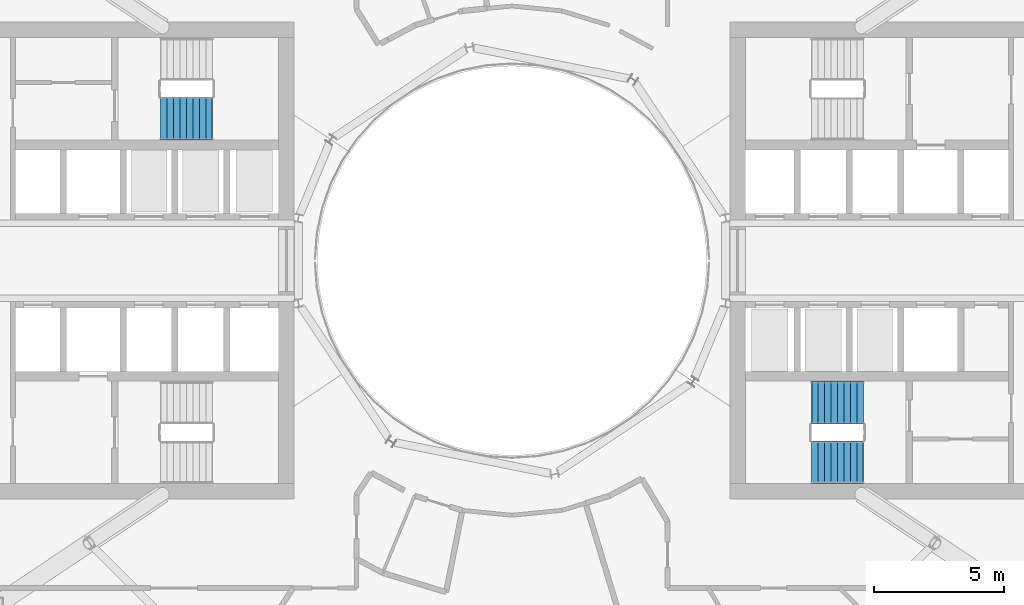
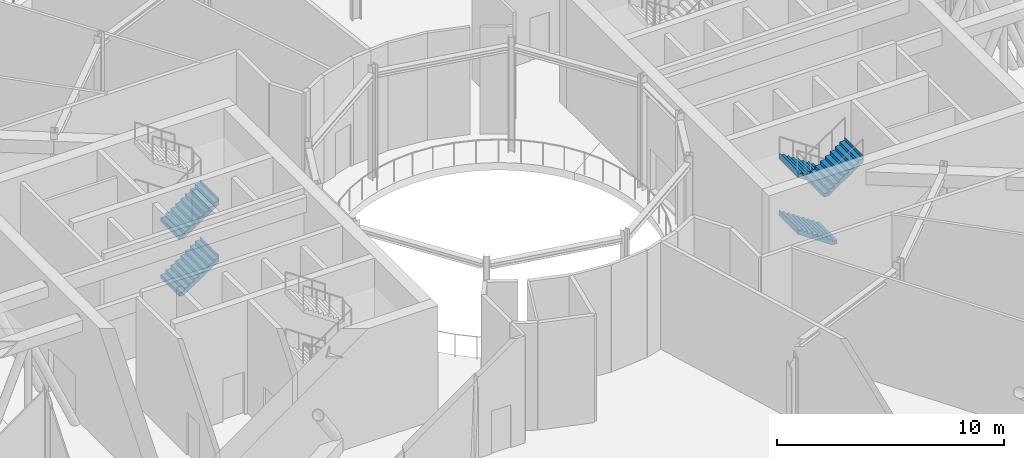
# One storey, part 17 of 25: 5 stair flights, 2 elements without a shape of their own.
"""IFC4 building model written with IfcOpenShell, lengths in metres."""

from ifc_helpers import new_model, si_unit, direction, frame, origin, place, context, subcontext, project, spatial, triangles, material, type_object, element, aggregate, save


model = new_model("IFC4")

# Units and contexts
model_context = context("Model", 3, precision=1e-05, world=origin(), true_north=direction((0.0, 1.0)))
body_context = subcontext(model_context, "Body", "Model", "MODEL_VIEW")
ifc_project = project(units=[si_unit("LENGTHUNIT", "METRE"), si_unit("AREAUNIT", "SQUARE_METRE"), si_unit("VOLUMEUNIT", "CUBIC_METRE"), si_unit("PLANEANGLEUNIT", "RADIAN"), si_unit("MASSUNIT", "GRAM", prefix="KILO")], contexts=[model_context])

# Site, building, storey
site_placement = place(None, origin())
site = spatial("IfcSite", under=ifc_project, at=site_placement, CompositionType="ELEMENT")
building_placement = place(site_placement, origin())
building = spatial("IfcBuilding", under=site, at=building_placement, Name="Maasbend Ring Residences", CompositionType="ELEMENT")
storey_placement = place(building_placement, frame((0.0, 0.0, 139.10009765625)))
storey = spatial("IfcBuildingStorey", under=building, at=storey_placement, Name="L40", CompositionType="ELEMENT", Elevation=139.10009765625)

# Stair, stair flights
ifc_material_1 = material(Name="Concrete C40/50", Category="concrete")
stair_type = type_object("IfcStairType", Name="CORE STAIR 36 RISERS", PredefinedType="HALF_TURN_STAIR", material=ifc_material_1)
stair_1_placement = place(storey_placement, origin())
stair_1 = element("IfcStair", 1, at=stair_1_placement, inside=storey, type_object=stair_type, Name="L40 Exit stair ST-E2", PredefinedType="HALF_TURN_STAIR")
ifc_material_2 = material(Name="Concrete C40/50", Category="concrete")
stair_flight_type = type_object("IfcStairFlightType", Name="CORE STAIR FLIGHT 1650", PredefinedType="STRAIGHT", material=ifc_material_2)
stair_flight_1_placement = place(storey_placement, frame((13.550048828125, -5.47509765625, 0.0), z_axis=(0.0, 0.0, 1.0), x_axis=(-1.0, 0.0, 0.0)))
stair_flight_1 = element("IfcStairFlight", 2, at=stair_flight_1_placement, type_object=stair_flight_type, Name="ST-E2 flight 1", NumberOfRisers=9, NumberOfTreads=8, PredefinedType="STRAIGHT", RiserHeight=0.169444444, TreadLength=0.25, context=body_context, shape_type="Tessellation", body=[
    triangles([(0.24072265625, 0.824951171875, -0.02001953125), (2.0029296875, 0.824951171875, 1.174560546875), (2.0029296875, 0.824951171875, 1.52490234375), (1.989990234375, 0.824951171875, 1.35546875), (1.75, 0.824951171875, 1.35546875), (1.75, 0.824951171875, 1.18603515625), (1.5, 0.824951171875, 1.18603515625), (1.5, 0.824951171875, 1.0166015625), (1.25, 0.824951171875, 1.0166015625), (1.25, 0.824951171875, 0.84716796875), (1.0, 0.824951171875, 0.84716796875), (1.0, 0.824951171875, 0.677734375), (0.75, 0.824951171875, 0.677734375), (0.75, 0.824951171875, 0.50830078125), (0.5, 0.824951171875, 0.50830078125), (0.5, 0.824951171875, 0.3388671875), (0.25, 0.824951171875, 0.3388671875), (0.25, 0.824951171875, 0.16943359375), (0.0, 0.824951171875, 0.16943359375), (0.0, 0.824951171875, 0.0), (-0.0029296875, 0.824951171875, 0.0), (-0.0029296875, 0.824951171875, -0.02001953125), (0.24072265625, 0.27490234375, -0.02001953125), (2.0029296875, 0.27490234375, 1.174560546875), (2.0029296875, 0.27490234375, 1.52490234375), (1.989990234375, 0.27490234375, 1.35546875), (1.75, 0.27490234375, 1.35546875), (1.75, 0.27490234375, 1.18603515625), (1.5, 0.27490234375, 1.18603515625), (1.5, 0.27490234375, 1.0166015625), (1.25, 0.27490234375, 1.0166015625), (1.25, 0.27490234375, 0.84716796875), (1.0, 0.27490234375, 0.84716796875), (1.0, 0.27490234375, 0.677734375), (0.75, 0.27490234375, 0.677734375), (0.75, 0.27490234375, 0.50830078125), (0.5, 0.27490234375, 0.50830078125), (0.5, 0.27490234375, 0.3388671875), (0.25, 0.27490234375, 0.3388671875), (0.25, 0.27490234375, 0.16943359375), (0.0, 0.27490234375, 0.16943359375), (0.0, 0.27490234375, 0.0), (-0.0029296875, 0.27490234375, 0.0), (-0.0029296875, 0.27490234375, -0.02001953125), (0.24072265625, -0.27490234375, -0.02001953125), (2.0029296875, -0.27490234375, 1.174560546875), (2.0029296875, -0.27490234375, 1.52490234375), (1.989990234375, -0.27490234375, 1.35546875), (1.75, -0.27490234375, 1.35546875), (1.75, -0.27490234375, 1.18603515625), (1.5, -0.27490234375, 1.18603515625), (1.5, -0.27490234375, 1.0166015625), (1.25, -0.27490234375, 1.0166015625), (1.25, -0.27490234375, 0.84716796875), (1.0, -0.27490234375, 0.84716796875), (1.0, -0.27490234375, 0.677734375), (0.75, -0.27490234375, 0.677734375), (0.75, -0.27490234375, 0.50830078125), (0.5, -0.27490234375, 0.50830078125), (0.5, -0.27490234375, 0.3388671875), (0.25, -0.27490234375, 0.3388671875), (0.25, -0.27490234375, 0.16943359375), (0.0, -0.27490234375, 0.16943359375), (0.0, -0.27490234375, 0.0), (-0.0029296875, -0.27490234375, 0.0), (-0.0029296875, -0.27490234375, -0.02001953125), (0.24072265625, -0.824951171875, -0.02001953125), (2.0029296875, -0.824951171875, 1.174560546875), (2.0029296875, -0.824951171875, 1.52490234375), (1.989990234375, -0.824951171875, 1.35546875), (1.75, -0.824951171875, 1.35546875), (1.75, -0.824951171875, 1.18603515625), (1.5, -0.824951171875, 1.18603515625), (1.5, -0.824951171875, 1.0166015625), (1.25, -0.824951171875, 1.0166015625), (1.25, -0.824951171875, 0.84716796875), (1.0, -0.824951171875, 0.84716796875), (1.0, -0.824951171875, 0.677734375), (0.75, -0.824951171875, 0.677734375), (0.75, -0.824951171875, 0.50830078125), (0.5, -0.824951171875, 0.50830078125), (0.5, -0.824951171875, 0.3388671875), (0.25, -0.824951171875, 0.3388671875), (0.25, -0.824951171875, 0.16943359375), (0.0, -0.824951171875, 0.16943359375), (0.0, -0.824951171875, 0.0), (-0.0029296875, -0.824951171875, 0.0), (-0.0029296875, -0.824951171875, -0.02001953125)], [[1, 2, 24], [1, 24, 23], [23, 24, 46], [23, 46, 45], [45, 46, 68], [45, 68, 67], [2, 3, 25], [2, 25, 24], [24, 25, 47], [24, 47, 46], [46, 47, 69], [46, 69, 68], [3, 4, 26], [3, 26, 25], [25, 26, 48], [25, 48, 47], [47, 48, 70], [47, 70, 69], [4, 5, 27], [4, 27, 26], [26, 27, 49], [26, 49, 48], [48, 49, 71], [48, 71, 70], [5, 6, 28], [5, 28, 27], [27, 28, 50], [27, 50, 49], [49, 50, 72], [49, 72, 71], [6, 7, 29], [6, 29, 28], [28, 29, 51], [28, 51, 50], [50, 51, 73], [50, 73, 72], [7, 8, 30], [7, 30, 29], [29, 30, 52], [29, 52, 51], [51, 52, 74], [51, 74, 73], [8, 9, 31], [8, 31, 30], [30, 31, 53], [30, 53, 52], [52, 53, 75], [52, 75, 74], [9, 10, 32], [9, 32, 31], [31, 32, 54], [31, 54, 53], [53, 54, 76], [53, 76, 75], [10, 11, 33], [10, 33, 32], [32, 33, 55], [32, 55, 54], [54, 55, 77], [54, 77, 76], [11, 12, 34], [11, 34, 33], [33, 34, 56], [33, 56, 55], [55, 56, 78], [55, 78, 77], [12, 13, 35], [12, 35, 34], [34, 35, 57], [34, 57, 56], [56, 57, 79], [56, 79, 78], [13, 14, 36], [13, 36, 35], [35, 36, 58], [35, 58, 57], [57, 58, 80], [57, 80, 79], [14, 15, 37], [14, 37, 36], [36, 37, 59], [36, 59, 58], [58, 59, 81], [58, 81, 80], [15, 16, 38], [15, 38, 37], [37, 38, 60], [37, 60, 59], [59, 60, 82], [59, 82, 81], [16, 17, 39], [16, 39, 38], [38, 39, 61], [38, 61, 60], [60, 61, 83], [60, 83, 82], [17, 18, 40], [17, 40, 39], [39, 40, 62], [39, 62, 61], [61, 62, 84], [61, 84, 83], [18, 19, 41], [18, 41, 40], [40, 41, 63], [40, 63, 62], [62, 63, 85], [62, 85, 84], [19, 20, 42], [19, 42, 41], [41, 42, 64], [41, 64, 63], [63, 64, 86], [63, 86, 85], [20, 21, 43], [20, 43, 42], [42, 43, 65], [42, 65, 64], [64, 65, 87], [64, 87, 86], [21, 22, 44], [21, 44, 43], [43, 44, 66], [43, 66, 65], [65, 66, 88], [65, 88, 87], [22, 1, 23], [22, 23, 44], [44, 23, 45], [44, 45, 66], [66, 45, 67], [66, 67, 88], [22, 2, 1], [2, 4, 3], [2, 5, 4], [2, 6, 5], [22, 6, 2], [6, 8, 7], [22, 8, 6], [8, 10, 9], [22, 10, 8], [10, 12, 11], [22, 12, 10], [12, 14, 13], [22, 14, 12], [14, 16, 15], [22, 16, 14], [16, 18, 17], [22, 18, 16], [18, 20, 19], [22, 20, 18], [20, 22, 21], [88, 67, 68], [68, 69, 70], [68, 70, 71], [68, 71, 72], [88, 68, 72], [72, 73, 74], [88, 72, 74], [74, 75, 76], [88, 74, 76], [76, 77, 78], [88, 76, 78], [78, 79, 80], [88, 78, 80], [80, 81, 82], [88, 80, 82], [82, 83, 84], [88, 82, 84], [84, 85, 86], [88, 84, 86], [86, 87, 88]], closed=True),
])
stair_flight_2_placement = place(storey_placement, frame((13.550048828125, -5.47509765625, 3.0498046875), z_axis=(0.0, 0.0, 1.0), x_axis=(-1.0, 0.0, 0.0)))
stair_flight_2 = element("IfcStairFlight", 3, at=stair_flight_2_placement, type_object=stair_flight_type, Name="ST-E2 flight 3", NumberOfRisers=9, NumberOfTreads=8, PredefinedType="STRAIGHT", RiserHeight=0.169444444, TreadLength=0.25, context=body_context, shape_type="Tessellation", body=[
    triangles([(0.24072265625, 0.824951171875, -0.02001953125), (2.0029296875, 0.824951171875, 1.174560546875), (2.0029296875, 0.824951171875, 1.52490234375), (1.989990234375, 0.824951171875, 1.35546875), (1.75, 0.824951171875, 1.35546875), (1.75, 0.824951171875, 1.18603515625), (1.5, 0.824951171875, 1.18603515625), (1.5, 0.824951171875, 1.0166015625), (1.25, 0.824951171875, 1.0166015625), (1.25, 0.824951171875, 0.84716796875), (1.0, 0.824951171875, 0.84716796875), (1.0, 0.824951171875, 0.677734375), (0.75, 0.824951171875, 0.677734375), (0.75, 0.824951171875, 0.50830078125), (0.5, 0.824951171875, 0.50830078125), (0.5, 0.824951171875, 0.3388671875), (0.25, 0.824951171875, 0.3388671875), (0.25, 0.824951171875, 0.16943359375), (0.0, 0.824951171875, 0.16943359375), (0.0, 0.824951171875, 0.0), (-0.0029296875, 0.824951171875, 0.0), (-0.0029296875, 0.824951171875, -0.02001953125), (0.24072265625, 0.27490234375, -0.02001953125), (2.0029296875, 0.27490234375, 1.174560546875), (2.0029296875, 0.27490234375, 1.52490234375), (1.989990234375, 0.27490234375, 1.35546875), (1.75, 0.27490234375, 1.35546875), (1.75, 0.27490234375, 1.18603515625), (1.5, 0.27490234375, 1.18603515625), (1.5, 0.27490234375, 1.0166015625), (1.25, 0.27490234375, 1.0166015625), (1.25, 0.27490234375, 0.84716796875), (1.0, 0.27490234375, 0.84716796875), (1.0, 0.27490234375, 0.677734375), (0.75, 0.27490234375, 0.677734375), (0.75, 0.27490234375, 0.50830078125), (0.5, 0.27490234375, 0.50830078125), (0.5, 0.27490234375, 0.3388671875), (0.25, 0.27490234375, 0.3388671875), (0.25, 0.27490234375, 0.16943359375), (0.0, 0.27490234375, 0.16943359375), (0.0, 0.27490234375, 0.0), (-0.0029296875, 0.27490234375, 0.0), (-0.0029296875, 0.27490234375, -0.02001953125), (0.24072265625, -0.27490234375, -0.02001953125), (2.0029296875, -0.27490234375, 1.174560546875), (2.0029296875, -0.27490234375, 1.52490234375), (1.989990234375, -0.27490234375, 1.35546875), (1.75, -0.27490234375, 1.35546875), (1.75, -0.27490234375, 1.18603515625), (1.5, -0.27490234375, 1.18603515625), (1.5, -0.27490234375, 1.0166015625), (1.25, -0.27490234375, 1.0166015625), (1.25, -0.27490234375, 0.84716796875), (1.0, -0.27490234375, 0.84716796875), (1.0, -0.27490234375, 0.677734375), (0.75, -0.27490234375, 0.677734375), (0.75, -0.27490234375, 0.50830078125), (0.5, -0.27490234375, 0.50830078125), (0.5, -0.27490234375, 0.3388671875), (0.25, -0.27490234375, 0.3388671875), (0.25, -0.27490234375, 0.16943359375), (0.0, -0.27490234375, 0.16943359375), (0.0, -0.27490234375, 0.0), (-0.0029296875, -0.27490234375, 0.0), (-0.0029296875, -0.27490234375, -0.02001953125), (0.24072265625, -0.824951171875, -0.02001953125), (2.0029296875, -0.824951171875, 1.174560546875), (2.0029296875, -0.824951171875, 1.52490234375), (1.989990234375, -0.824951171875, 1.35546875), (1.75, -0.824951171875, 1.35546875), (1.75, -0.824951171875, 1.18603515625), (1.5, -0.824951171875, 1.18603515625), (1.5, -0.824951171875, 1.0166015625), (1.25, -0.824951171875, 1.0166015625), (1.25, -0.824951171875, 0.84716796875), (1.0, -0.824951171875, 0.84716796875), (1.0, -0.824951171875, 0.677734375), (0.75, -0.824951171875, 0.677734375), (0.75, -0.824951171875, 0.50830078125), (0.5, -0.824951171875, 0.50830078125), (0.5, -0.824951171875, 0.3388671875), (0.25, -0.824951171875, 0.3388671875), (0.25, -0.824951171875, 0.16943359375), (0.0, -0.824951171875, 0.16943359375), (0.0, -0.824951171875, 0.0), (-0.0029296875, -0.824951171875, 0.0), (-0.0029296875, -0.824951171875, -0.02001953125)], [[1, 2, 24], [1, 24, 23], [23, 24, 46], [23, 46, 45], [45, 46, 68], [45, 68, 67], [2, 3, 25], [2, 25, 24], [24, 25, 47], [24, 47, 46], [46, 47, 69], [46, 69, 68], [3, 4, 26], [3, 26, 25], [25, 26, 48], [25, 48, 47], [47, 48, 70], [47, 70, 69], [4, 5, 27], [4, 27, 26], [26, 27, 49], [26, 49, 48], [48, 49, 71], [48, 71, 70], [5, 6, 28], [5, 28, 27], [27, 28, 50], [27, 50, 49], [49, 50, 72], [49, 72, 71], [6, 7, 29], [6, 29, 28], [28, 29, 51], [28, 51, 50], [50, 51, 73], [50, 73, 72], [7, 8, 30], [7, 30, 29], [29, 30, 52], [29, 52, 51], [51, 52, 74], [51, 74, 73], [8, 9, 31], [8, 31, 30], [30, 31, 53], [30, 53, 52], [52, 53, 75], [52, 75, 74], [9, 10, 32], [9, 32, 31], [31, 32, 54], [31, 54, 53], [53, 54, 76], [53, 76, 75], [10, 11, 33], [10, 33, 32], [32, 33, 55], [32, 55, 54], [54, 55, 77], [54, 77, 76], [11, 12, 34], [11, 34, 33], [33, 34, 56], [33, 56, 55], [55, 56, 78], [55, 78, 77], [12, 13, 35], [12, 35, 34], [34, 35, 57], [34, 57, 56], [56, 57, 79], [56, 79, 78], [13, 14, 36], [13, 36, 35], [35, 36, 58], [35, 58, 57], [57, 58, 80], [57, 80, 79], [14, 15, 37], [14, 37, 36], [36, 37, 59], [36, 59, 58], [58, 59, 81], [58, 81, 80], [15, 16, 38], [15, 38, 37], [37, 38, 60], [37, 60, 59], [59, 60, 82], [59, 82, 81], [16, 17, 39], [16, 39, 38], [38, 39, 61], [38, 61, 60], [60, 61, 83], [60, 83, 82], [17, 18, 40], [17, 40, 39], [39, 40, 62], [39, 62, 61], [61, 62, 84], [61, 84, 83], [18, 19, 41], [18, 41, 40], [40, 41, 63], [40, 63, 62], [62, 63, 85], [62, 85, 84], [19, 20, 42], [19, 42, 41], [41, 42, 64], [41, 64, 63], [63, 64, 86], [63, 86, 85], [20, 21, 43], [20, 43, 42], [42, 43, 65], [42, 65, 64], [64, 65, 87], [64, 87, 86], [21, 22, 44], [21, 44, 43], [43, 44, 66], [43, 66, 65], [65, 66, 88], [65, 88, 87], [22, 1, 23], [22, 23, 44], [44, 23, 45], [44, 45, 66], [66, 45, 67], [66, 67, 88], [22, 2, 1], [2, 4, 3], [2, 5, 4], [2, 6, 5], [22, 6, 2], [6, 8, 7], [22, 8, 6], [8, 10, 9], [22, 10, 8], [10, 12, 11], [22, 12, 10], [12, 14, 13], [22, 14, 12], [14, 16, 15], [22, 16, 14], [16, 18, 17], [22, 18, 16], [18, 20, 19], [22, 20, 18], [20, 22, 21], [88, 67, 68], [68, 69, 70], [68, 70, 71], [68, 71, 72], [88, 68, 72], [72, 73, 74], [88, 72, 74], [74, 75, 76], [88, 74, 76], [76, 77, 78], [88, 76, 78], [78, 79, 80], [88, 78, 80], [80, 81, 82], [88, 80, 82], [82, 83, 84], [88, 82, 84], [84, 85, 86], [88, 84, 86], [86, 87, 88]], closed=True),
])
stair_flight_3_placement = place(storey_placement, frame((11.550048828125, -7.77490234375, 4.574951171875), z_axis=(0.0, 0.0, 1.0), x_axis=(1.0, 0.0, 0.0)))
stair_flight_3 = element("IfcStairFlight", 4, at=stair_flight_3_placement, type_object=stair_flight_type, Name="ST-E2 flight 4", NumberOfRisers=9, NumberOfTreads=8, PredefinedType="STRAIGHT", RiserHeight=0.169444444, TreadLength=0.25, context=body_context, shape_type="Tessellation", body=[
    triangles([(0.24072265625, 0.824951171875, -0.02001953125), (2.0029296875, 0.824951171875, 1.174560546875), (2.0029296875, 0.824951171875, 1.52490234375), (1.989990234375, 0.824951171875, 1.35546875), (1.75, 0.824951171875, 1.35546875), (1.75, 0.824951171875, 1.18603515625), (1.5, 0.824951171875, 1.18603515625), (1.5, 0.824951171875, 1.0166015625), (1.25, 0.824951171875, 1.0166015625), (1.25, 0.824951171875, 0.84716796875), (1.0, 0.824951171875, 0.84716796875), (1.0, 0.824951171875, 0.677734375), (0.75, 0.824951171875, 0.677734375), (0.75, 0.824951171875, 0.50830078125), (0.5, 0.824951171875, 0.50830078125), (0.5, 0.824951171875, 0.3388671875), (0.25, 0.824951171875, 0.3388671875), (0.25, 0.824951171875, 0.16943359375), (0.0, 0.824951171875, 0.16943359375), (0.0, 0.824951171875, 0.0), (-0.0029296875, 0.824951171875, 0.0), (-0.0029296875, 0.824951171875, -0.02001953125), (0.24072265625, 0.27490234375, -0.02001953125), (2.0029296875, 0.27490234375, 1.174560546875), (2.0029296875, 0.27490234375, 1.52490234375), (1.989990234375, 0.27490234375, 1.35546875), (1.75, 0.27490234375, 1.35546875), (1.75, 0.27490234375, 1.18603515625), (1.5, 0.27490234375, 1.18603515625), (1.5, 0.27490234375, 1.0166015625), (1.25, 0.27490234375, 1.0166015625), (1.25, 0.27490234375, 0.84716796875), (1.0, 0.27490234375, 0.84716796875), (1.0, 0.27490234375, 0.677734375), (0.75, 0.27490234375, 0.677734375), (0.75, 0.27490234375, 0.50830078125), (0.5, 0.27490234375, 0.50830078125), (0.5, 0.27490234375, 0.3388671875), (0.25, 0.27490234375, 0.3388671875), (0.25, 0.27490234375, 0.16943359375), (0.0, 0.27490234375, 0.16943359375), (0.0, 0.27490234375, 0.0), (-0.0029296875, 0.27490234375, 0.0), (-0.0029296875, 0.27490234375, -0.02001953125), (0.24072265625, -0.27490234375, -0.02001953125), (2.0029296875, -0.27490234375, 1.174560546875), (2.0029296875, -0.27490234375, 1.52490234375), (1.989990234375, -0.27490234375, 1.35546875), (1.75, -0.27490234375, 1.35546875), (1.75, -0.27490234375, 1.18603515625), (1.5, -0.27490234375, 1.18603515625), (1.5, -0.27490234375, 1.0166015625), (1.25, -0.27490234375, 1.0166015625), (1.25, -0.27490234375, 0.84716796875), (1.0, -0.27490234375, 0.84716796875), (1.0, -0.27490234375, 0.677734375), (0.75, -0.27490234375, 0.677734375), (0.75, -0.27490234375, 0.50830078125), (0.5, -0.27490234375, 0.50830078125), (0.5, -0.27490234375, 0.3388671875), (0.25, -0.27490234375, 0.3388671875), (0.25, -0.27490234375, 0.16943359375), (0.0, -0.27490234375, 0.16943359375), (0.0, -0.27490234375, 0.0), (-0.0029296875, -0.27490234375, 0.0), (-0.0029296875, -0.27490234375, -0.02001953125), (0.24072265625, -0.824951171875, -0.02001953125), (2.0029296875, -0.824951171875, 1.174560546875), (2.0029296875, -0.824951171875, 1.52490234375), (1.989990234375, -0.824951171875, 1.35546875), (1.75, -0.824951171875, 1.35546875), (1.75, -0.824951171875, 1.18603515625), (1.5, -0.824951171875, 1.18603515625), (1.5, -0.824951171875, 1.0166015625), (1.25, -0.824951171875, 1.0166015625), (1.25, -0.824951171875, 0.84716796875), (1.0, -0.824951171875, 0.84716796875), (1.0, -0.824951171875, 0.677734375), (0.75, -0.824951171875, 0.677734375), (0.75, -0.824951171875, 0.50830078125), (0.5, -0.824951171875, 0.50830078125), (0.5, -0.824951171875, 0.3388671875), (0.25, -0.824951171875, 0.3388671875), (0.25, -0.824951171875, 0.16943359375), (0.0, -0.824951171875, 0.16943359375), (0.0, -0.824951171875, 0.0), (-0.0029296875, -0.824951171875, 0.0), (-0.0029296875, -0.824951171875, -0.02001953125)], [[1, 2, 24], [1, 24, 23], [23, 24, 46], [23, 46, 45], [45, 46, 68], [45, 68, 67], [2, 3, 25], [2, 25, 24], [24, 25, 47], [24, 47, 46], [46, 47, 69], [46, 69, 68], [3, 4, 26], [3, 26, 25], [25, 26, 48], [25, 48, 47], [47, 48, 70], [47, 70, 69], [4, 5, 27], [4, 27, 26], [26, 27, 49], [26, 49, 48], [48, 49, 71], [48, 71, 70], [5, 6, 28], [5, 28, 27], [27, 28, 50], [27, 50, 49], [49, 50, 72], [49, 72, 71], [6, 7, 29], [6, 29, 28], [28, 29, 51], [28, 51, 50], [50, 51, 73], [50, 73, 72], [7, 8, 30], [7, 30, 29], [29, 30, 52], [29, 52, 51], [51, 52, 74], [51, 74, 73], [8, 9, 31], [8, 31, 30], [30, 31, 53], [30, 53, 52], [52, 53, 75], [52, 75, 74], [9, 10, 32], [9, 32, 31], [31, 32, 54], [31, 54, 53], [53, 54, 76], [53, 76, 75], [10, 11, 33], [10, 33, 32], [32, 33, 55], [32, 55, 54], [54, 55, 77], [54, 77, 76], [11, 12, 34], [11, 34, 33], [33, 34, 56], [33, 56, 55], [55, 56, 78], [55, 78, 77], [12, 13, 35], [12, 35, 34], [34, 35, 57], [34, 57, 56], [56, 57, 79], [56, 79, 78], [13, 14, 36], [13, 36, 35], [35, 36, 58], [35, 58, 57], [57, 58, 80], [57, 80, 79], [14, 15, 37], [14, 37, 36], [36, 37, 59], [36, 59, 58], [58, 59, 81], [58, 81, 80], [15, 16, 38], [15, 38, 37], [37, 38, 60], [37, 60, 59], [59, 60, 82], [59, 82, 81], [16, 17, 39], [16, 39, 38], [38, 39, 61], [38, 61, 60], [60, 61, 83], [60, 83, 82], [17, 18, 40], [17, 40, 39], [39, 40, 62], [39, 62, 61], [61, 62, 84], [61, 84, 83], [18, 19, 41], [18, 41, 40], [40, 41, 63], [40, 63, 62], [62, 63, 85], [62, 85, 84], [19, 20, 42], [19, 42, 41], [41, 42, 64], [41, 64, 63], [63, 64, 86], [63, 86, 85], [20, 21, 43], [20, 43, 42], [42, 43, 65], [42, 65, 64], [64, 65, 87], [64, 87, 86], [21, 22, 44], [21, 44, 43], [43, 44, 66], [43, 66, 65], [65, 66, 88], [65, 88, 87], [22, 1, 23], [22, 23, 44], [44, 23, 45], [44, 45, 66], [66, 45, 67], [66, 67, 88], [22, 2, 1], [2, 4, 3], [2, 5, 4], [2, 6, 5], [22, 6, 2], [6, 8, 7], [22, 8, 6], [8, 10, 9], [22, 10, 8], [10, 12, 11], [22, 12, 10], [12, 14, 13], [22, 14, 12], [14, 16, 15], [22, 16, 14], [16, 18, 17], [22, 18, 16], [18, 20, 19], [22, 20, 18], [20, 22, 21], [88, 67, 68], [68, 69, 70], [68, 70, 71], [68, 71, 72], [88, 68, 72], [72, 73, 74], [88, 72, 74], [74, 75, 76], [88, 74, 76], [76, 77, 78], [88, 76, 78], [78, 79, 80], [88, 78, 80], [80, 81, 82], [88, 80, 82], [82, 83, 84], [88, 82, 84], [84, 85, 86], [88, 84, 86], [86, 87, 88]], closed=True),
])
aggregate(stair_1, [stair_flight_1, stair_flight_2, stair_flight_3])

stair_2_placement = place(storey_placement, origin())
stair_2 = element("IfcStair", 5, at=stair_2_placement, inside=storey, type_object=stair_type, Name="L40 Exit stair ST-W2", PredefinedType="HALF_TURN_STAIR")
stair_flight_4_placement = place(storey_placement, frame((-13.550048828125, 5.47509765625, 0.0), z_axis=(0.0, 0.0, 1.0), x_axis=(1.0, 0.0, 0.0)))
stair_flight_4 = element("IfcStairFlight", 6, at=stair_flight_4_placement, type_object=stair_flight_type, Name="ST-W2 flight 1", NumberOfRisers=9, NumberOfTreads=8, PredefinedType="STRAIGHT", RiserHeight=0.169444444, TreadLength=0.25, context=body_context, shape_type="Tessellation", body=[
    triangles([(0.24072265625, 0.824951171875, -0.02001953125), (2.0029296875, 0.824951171875, 1.174560546875), (2.0029296875, 0.824951171875, 1.52490234375), (1.989990234375, 0.824951171875, 1.35546875), (1.75, 0.824951171875, 1.35546875), (1.75, 0.824951171875, 1.18603515625), (1.5, 0.824951171875, 1.18603515625), (1.5, 0.824951171875, 1.0166015625), (1.25, 0.824951171875, 1.0166015625), (1.25, 0.824951171875, 0.84716796875), (1.0, 0.824951171875, 0.84716796875), (1.0, 0.824951171875, 0.677734375), (0.75, 0.824951171875, 0.677734375), (0.75, 0.824951171875, 0.50830078125), (0.5, 0.824951171875, 0.50830078125), (0.5, 0.824951171875, 0.3388671875), (0.25, 0.824951171875, 0.3388671875), (0.25, 0.824951171875, 0.16943359375), (0.0, 0.824951171875, 0.16943359375), (0.0, 0.824951171875, 0.0), (-0.0029296875, 0.824951171875, 0.0), (-0.0029296875, 0.824951171875, -0.02001953125), (0.24072265625, 0.27490234375, -0.02001953125), (2.0029296875, 0.27490234375, 1.174560546875), (2.0029296875, 0.27490234375, 1.52490234375), (1.989990234375, 0.27490234375, 1.35546875), (1.75, 0.27490234375, 1.35546875), (1.75, 0.27490234375, 1.18603515625), (1.5, 0.27490234375, 1.18603515625), (1.5, 0.27490234375, 1.0166015625), (1.25, 0.27490234375, 1.0166015625), (1.25, 0.27490234375, 0.84716796875), (1.0, 0.27490234375, 0.84716796875), (1.0, 0.27490234375, 0.677734375), (0.75, 0.27490234375, 0.677734375), (0.75, 0.27490234375, 0.50830078125), (0.5, 0.27490234375, 0.50830078125), (0.5, 0.27490234375, 0.3388671875), (0.25, 0.27490234375, 0.3388671875), (0.25, 0.27490234375, 0.16943359375), (0.0, 0.27490234375, 0.16943359375), (0.0, 0.27490234375, 0.0), (-0.0029296875, 0.27490234375, 0.0), (-0.0029296875, 0.27490234375, -0.02001953125), (0.24072265625, -0.27490234375, -0.02001953125), (2.0029296875, -0.27490234375, 1.174560546875), (2.0029296875, -0.27490234375, 1.52490234375), (1.989990234375, -0.27490234375, 1.35546875), (1.75, -0.27490234375, 1.35546875), (1.75, -0.27490234375, 1.18603515625), (1.5, -0.27490234375, 1.18603515625), (1.5, -0.27490234375, 1.0166015625), (1.25, -0.27490234375, 1.0166015625), (1.25, -0.27490234375, 0.84716796875), (1.0, -0.27490234375, 0.84716796875), (1.0, -0.27490234375, 0.677734375), (0.75, -0.27490234375, 0.677734375), (0.75, -0.27490234375, 0.50830078125), (0.5, -0.27490234375, 0.50830078125), (0.5, -0.27490234375, 0.3388671875), (0.25, -0.27490234375, 0.3388671875), (0.25, -0.27490234375, 0.16943359375), (0.0, -0.27490234375, 0.16943359375), (0.0, -0.27490234375, 0.0), (-0.0029296875, -0.27490234375, 0.0), (-0.0029296875, -0.27490234375, -0.02001953125), (0.24072265625, -0.824951171875, -0.02001953125), (2.0029296875, -0.824951171875, 1.174560546875), (2.0029296875, -0.824951171875, 1.52490234375), (1.989990234375, -0.824951171875, 1.35546875), (1.75, -0.824951171875, 1.35546875), (1.75, -0.824951171875, 1.18603515625), (1.5, -0.824951171875, 1.18603515625), (1.5, -0.824951171875, 1.0166015625), (1.25, -0.824951171875, 1.0166015625), (1.25, -0.824951171875, 0.84716796875), (1.0, -0.824951171875, 0.84716796875), (1.0, -0.824951171875, 0.677734375), (0.75, -0.824951171875, 0.677734375), (0.75, -0.824951171875, 0.50830078125), (0.5, -0.824951171875, 0.50830078125), (0.5, -0.824951171875, 0.3388671875), (0.25, -0.824951171875, 0.3388671875), (0.25, -0.824951171875, 0.16943359375), (0.0, -0.824951171875, 0.16943359375), (0.0, -0.824951171875, 0.0), (-0.0029296875, -0.824951171875, 0.0), (-0.0029296875, -0.824951171875, -0.02001953125)], [[1, 2, 24], [1, 24, 23], [23, 24, 46], [23, 46, 45], [45, 46, 68], [45, 68, 67], [2, 3, 25], [2, 25, 24], [24, 25, 47], [24, 47, 46], [46, 47, 69], [46, 69, 68], [3, 4, 26], [3, 26, 25], [25, 26, 48], [25, 48, 47], [47, 48, 70], [47, 70, 69], [4, 5, 27], [4, 27, 26], [26, 27, 49], [26, 49, 48], [48, 49, 71], [48, 71, 70], [5, 6, 28], [5, 28, 27], [27, 28, 50], [27, 50, 49], [49, 50, 72], [49, 72, 71], [6, 7, 29], [6, 29, 28], [28, 29, 51], [28, 51, 50], [50, 51, 73], [50, 73, 72], [7, 8, 30], [7, 30, 29], [29, 30, 52], [29, 52, 51], [51, 52, 74], [51, 74, 73], [8, 9, 31], [8, 31, 30], [30, 31, 53], [30, 53, 52], [52, 53, 75], [52, 75, 74], [9, 10, 32], [9, 32, 31], [31, 32, 54], [31, 54, 53], [53, 54, 76], [53, 76, 75], [10, 11, 33], [10, 33, 32], [32, 33, 55], [32, 55, 54], [54, 55, 77], [54, 77, 76], [11, 12, 34], [11, 34, 33], [33, 34, 56], [33, 56, 55], [55, 56, 78], [55, 78, 77], [12, 13, 35], [12, 35, 34], [34, 35, 57], [34, 57, 56], [56, 57, 79], [56, 79, 78], [13, 14, 36], [13, 36, 35], [35, 36, 58], [35, 58, 57], [57, 58, 80], [57, 80, 79], [14, 15, 37], [14, 37, 36], [36, 37, 59], [36, 59, 58], [58, 59, 81], [58, 81, 80], [15, 16, 38], [15, 38, 37], [37, 38, 60], [37, 60, 59], [59, 60, 82], [59, 82, 81], [16, 17, 39], [16, 39, 38], [38, 39, 61], [38, 61, 60], [60, 61, 83], [60, 83, 82], [17, 18, 40], [17, 40, 39], [39, 40, 62], [39, 62, 61], [61, 62, 84], [61, 84, 83], [18, 19, 41], [18, 41, 40], [40, 41, 63], [40, 63, 62], [62, 63, 85], [62, 85, 84], [19, 20, 42], [19, 42, 41], [41, 42, 64], [41, 64, 63], [63, 64, 86], [63, 86, 85], [20, 21, 43], [20, 43, 42], [42, 43, 65], [42, 65, 64], [64, 65, 87], [64, 87, 86], [21, 22, 44], [21, 44, 43], [43, 44, 66], [43, 66, 65], [65, 66, 88], [65, 88, 87], [22, 1, 23], [22, 23, 44], [44, 23, 45], [44, 45, 66], [66, 45, 67], [66, 67, 88], [22, 2, 1], [2, 4, 3], [2, 5, 4], [2, 6, 5], [22, 6, 2], [6, 8, 7], [22, 8, 6], [8, 10, 9], [22, 10, 8], [10, 12, 11], [22, 12, 10], [12, 14, 13], [22, 14, 12], [14, 16, 15], [22, 16, 14], [16, 18, 17], [22, 18, 16], [18, 20, 19], [22, 20, 18], [20, 22, 21], [88, 67, 68], [68, 69, 70], [68, 70, 71], [68, 71, 72], [88, 68, 72], [72, 73, 74], [88, 72, 74], [74, 75, 76], [88, 74, 76], [76, 77, 78], [88, 76, 78], [78, 79, 80], [88, 78, 80], [80, 81, 82], [88, 80, 82], [82, 83, 84], [88, 82, 84], [84, 85, 86], [88, 84, 86], [86, 87, 88]], closed=True),
])
stair_flight_5_placement = place(storey_placement, frame((-13.550048828125, 5.47509765625, 3.0498046875), z_axis=(0.0, 0.0, 1.0), x_axis=(1.0, 0.0, 0.0)))
stair_flight_5 = element("IfcStairFlight", 7, at=stair_flight_5_placement, type_object=stair_flight_type, Name="ST-W2 flight 3", NumberOfRisers=9, NumberOfTreads=8, PredefinedType="STRAIGHT", RiserHeight=0.169444444, TreadLength=0.25, context=body_context, shape_type="Tessellation", body=[
    triangles([(0.24072265625, 0.824951171875, -0.02001953125), (2.0029296875, 0.824951171875, 1.174560546875), (2.0029296875, 0.824951171875, 1.52490234375), (1.989990234375, 0.824951171875, 1.35546875), (1.75, 0.824951171875, 1.35546875), (1.75, 0.824951171875, 1.18603515625), (1.5, 0.824951171875, 1.18603515625), (1.5, 0.824951171875, 1.0166015625), (1.25, 0.824951171875, 1.0166015625), (1.25, 0.824951171875, 0.84716796875), (1.0, 0.824951171875, 0.84716796875), (1.0, 0.824951171875, 0.677734375), (0.75, 0.824951171875, 0.677734375), (0.75, 0.824951171875, 0.50830078125), (0.5, 0.824951171875, 0.50830078125), (0.5, 0.824951171875, 0.3388671875), (0.25, 0.824951171875, 0.3388671875), (0.25, 0.824951171875, 0.16943359375), (0.0, 0.824951171875, 0.16943359375), (0.0, 0.824951171875, 0.0), (-0.0029296875, 0.824951171875, 0.0), (-0.0029296875, 0.824951171875, -0.02001953125), (0.24072265625, 0.27490234375, -0.02001953125), (2.0029296875, 0.27490234375, 1.174560546875), (2.0029296875, 0.27490234375, 1.52490234375), (1.989990234375, 0.27490234375, 1.35546875), (1.75, 0.27490234375, 1.35546875), (1.75, 0.27490234375, 1.18603515625), (1.5, 0.27490234375, 1.18603515625), (1.5, 0.27490234375, 1.0166015625), (1.25, 0.27490234375, 1.0166015625), (1.25, 0.27490234375, 0.84716796875), (1.0, 0.27490234375, 0.84716796875), (1.0, 0.27490234375, 0.677734375), (0.75, 0.27490234375, 0.677734375), (0.75, 0.27490234375, 0.50830078125), (0.5, 0.27490234375, 0.50830078125), (0.5, 0.27490234375, 0.3388671875), (0.25, 0.27490234375, 0.3388671875), (0.25, 0.27490234375, 0.16943359375), (0.0, 0.27490234375, 0.16943359375), (0.0, 0.27490234375, 0.0), (-0.0029296875, 0.27490234375, 0.0), (-0.0029296875, 0.27490234375, -0.02001953125), (0.24072265625, -0.27490234375, -0.02001953125), (2.0029296875, -0.27490234375, 1.174560546875), (2.0029296875, -0.27490234375, 1.52490234375), (1.989990234375, -0.27490234375, 1.35546875), (1.75, -0.27490234375, 1.35546875), (1.75, -0.27490234375, 1.18603515625), (1.5, -0.27490234375, 1.18603515625), (1.5, -0.27490234375, 1.0166015625), (1.25, -0.27490234375, 1.0166015625), (1.25, -0.27490234375, 0.84716796875), (1.0, -0.27490234375, 0.84716796875), (1.0, -0.27490234375, 0.677734375), (0.75, -0.27490234375, 0.677734375), (0.75, -0.27490234375, 0.50830078125), (0.5, -0.27490234375, 0.50830078125), (0.5, -0.27490234375, 0.3388671875), (0.25, -0.27490234375, 0.3388671875), (0.25, -0.27490234375, 0.16943359375), (0.0, -0.27490234375, 0.16943359375), (0.0, -0.27490234375, 0.0), (-0.0029296875, -0.27490234375, 0.0), (-0.0029296875, -0.27490234375, -0.02001953125), (0.24072265625, -0.824951171875, -0.02001953125), (2.0029296875, -0.824951171875, 1.174560546875), (2.0029296875, -0.824951171875, 1.52490234375), (1.989990234375, -0.824951171875, 1.35546875), (1.75, -0.824951171875, 1.35546875), (1.75, -0.824951171875, 1.18603515625), (1.5, -0.824951171875, 1.18603515625), (1.5, -0.824951171875, 1.0166015625), (1.25, -0.824951171875, 1.0166015625), (1.25, -0.824951171875, 0.84716796875), (1.0, -0.824951171875, 0.84716796875), (1.0, -0.824951171875, 0.677734375), (0.75, -0.824951171875, 0.677734375), (0.75, -0.824951171875, 0.50830078125), (0.5, -0.824951171875, 0.50830078125), (0.5, -0.824951171875, 0.3388671875), (0.25, -0.824951171875, 0.3388671875), (0.25, -0.824951171875, 0.16943359375), (0.0, -0.824951171875, 0.16943359375), (0.0, -0.824951171875, 0.0), (-0.0029296875, -0.824951171875, 0.0), (-0.0029296875, -0.824951171875, -0.02001953125)], [[1, 2, 24], [1, 24, 23], [23, 24, 46], [23, 46, 45], [45, 46, 68], [45, 68, 67], [2, 3, 25], [2, 25, 24], [24, 25, 47], [24, 47, 46], [46, 47, 69], [46, 69, 68], [3, 4, 26], [3, 26, 25], [25, 26, 48], [25, 48, 47], [47, 48, 70], [47, 70, 69], [4, 5, 27], [4, 27, 26], [26, 27, 49], [26, 49, 48], [48, 49, 71], [48, 71, 70], [5, 6, 28], [5, 28, 27], [27, 28, 50], [27, 50, 49], [49, 50, 72], [49, 72, 71], [6, 7, 29], [6, 29, 28], [28, 29, 51], [28, 51, 50], [50, 51, 73], [50, 73, 72], [7, 8, 30], [7, 30, 29], [29, 30, 52], [29, 52, 51], [51, 52, 74], [51, 74, 73], [8, 9, 31], [8, 31, 30], [30, 31, 53], [30, 53, 52], [52, 53, 75], [52, 75, 74], [9, 10, 32], [9, 32, 31], [31, 32, 54], [31, 54, 53], [53, 54, 76], [53, 76, 75], [10, 11, 33], [10, 33, 32], [32, 33, 55], [32, 55, 54], [54, 55, 77], [54, 77, 76], [11, 12, 34], [11, 34, 33], [33, 34, 56], [33, 56, 55], [55, 56, 78], [55, 78, 77], [12, 13, 35], [12, 35, 34], [34, 35, 57], [34, 57, 56], [56, 57, 79], [56, 79, 78], [13, 14, 36], [13, 36, 35], [35, 36, 58], [35, 58, 57], [57, 58, 80], [57, 80, 79], [14, 15, 37], [14, 37, 36], [36, 37, 59], [36, 59, 58], [58, 59, 81], [58, 81, 80], [15, 16, 38], [15, 38, 37], [37, 38, 60], [37, 60, 59], [59, 60, 82], [59, 82, 81], [16, 17, 39], [16, 39, 38], [38, 39, 61], [38, 61, 60], [60, 61, 83], [60, 83, 82], [17, 18, 40], [17, 40, 39], [39, 40, 62], [39, 62, 61], [61, 62, 84], [61, 84, 83], [18, 19, 41], [18, 41, 40], [40, 41, 63], [40, 63, 62], [62, 63, 85], [62, 85, 84], [19, 20, 42], [19, 42, 41], [41, 42, 64], [41, 64, 63], [63, 64, 86], [63, 86, 85], [20, 21, 43], [20, 43, 42], [42, 43, 65], [42, 65, 64], [64, 65, 87], [64, 87, 86], [21, 22, 44], [21, 44, 43], [43, 44, 66], [43, 66, 65], [65, 66, 88], [65, 88, 87], [22, 1, 23], [22, 23, 44], [44, 23, 45], [44, 45, 66], [66, 45, 67], [66, 67, 88], [22, 2, 1], [2, 4, 3], [2, 5, 4], [2, 6, 5], [22, 6, 2], [6, 8, 7], [22, 8, 6], [8, 10, 9], [22, 10, 8], [10, 12, 11], [22, 12, 10], [12, 14, 13], [22, 14, 12], [14, 16, 15], [22, 16, 14], [16, 18, 17], [22, 18, 16], [18, 20, 19], [22, 20, 18], [20, 22, 21], [88, 67, 68], [68, 69, 70], [68, 70, 71], [68, 71, 72], [88, 68, 72], [72, 73, 74], [88, 72, 74], [74, 75, 76], [88, 74, 76], [76, 77, 78], [88, 76, 78], [78, 79, 80], [88, 78, 80], [80, 81, 82], [88, 80, 82], [82, 83, 84], [88, 82, 84], [84, 85, 86], [88, 84, 86], [86, 87, 88]], closed=True),
])
aggregate(stair_2, [stair_flight_4, stair_flight_5])

save(model, "model.ifc")
